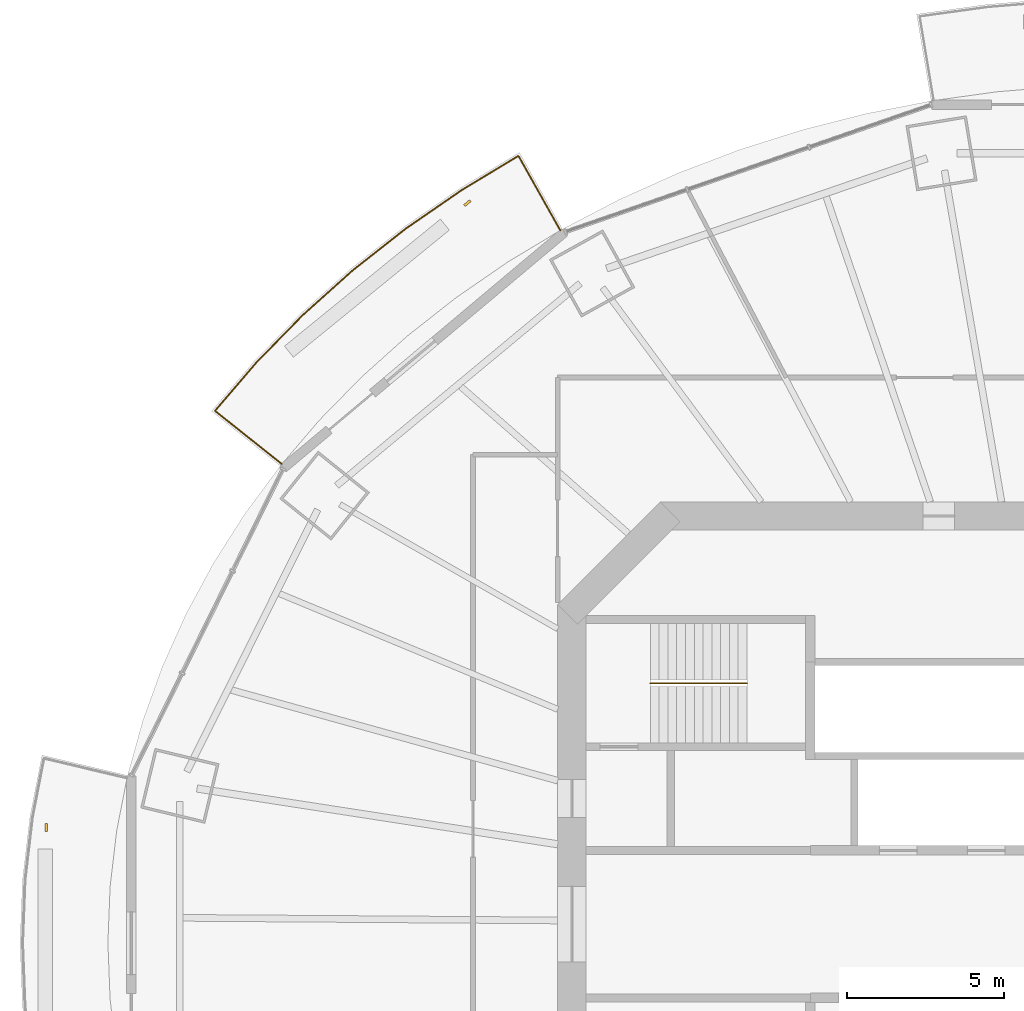
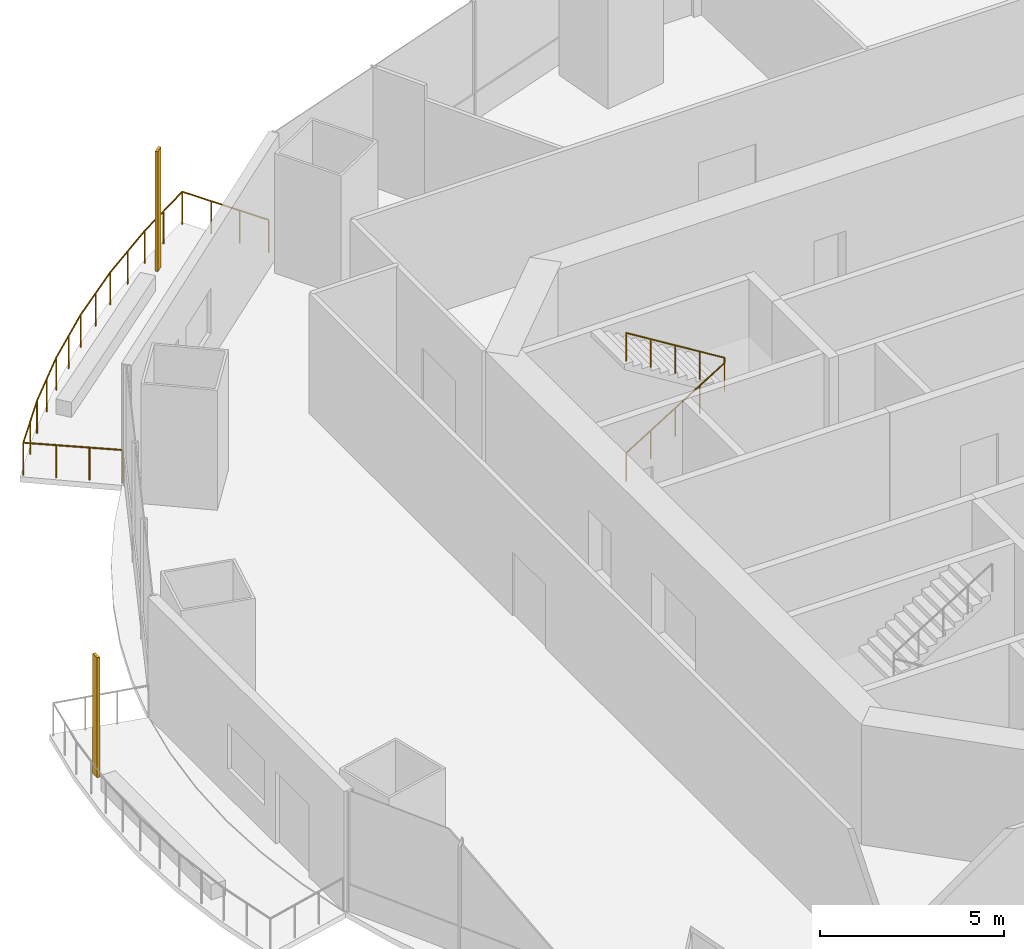
# One storey, part 17 of 20: 2 railings, 2 shading devices.
"""IFC4 building model written with IfcOpenShell, lengths in metres."""

from ifc_helpers import new_model, si_unit, direction, frame, origin, origin_2d, place, context, subcontext, project, spatial, rectangle, circle, extrude, material, material_profile, profile_set, type_object, element, save


model = new_model("IFC4")

# Units and contexts
model_context = context("Model", 3, precision=1e-05, world=origin(), true_north=direction((0.0, 1.0)))
body_context = subcontext(model_context, "Body", "Model", "MODEL_VIEW")
ifc_project = project(units=[si_unit("LENGTHUNIT", "METRE"), si_unit("AREAUNIT", "SQUARE_METRE"), si_unit("VOLUMEUNIT", "CUBIC_METRE"), si_unit("PLANEANGLEUNIT", "RADIAN"), si_unit("MASSUNIT", "GRAM", prefix="KILO")], contexts=[model_context])

# Site, building, storey
site_placement = place(None, origin())
site = spatial("IfcSite", under=ifc_project, at=site_placement, CompositionType="ELEMENT")
building_placement = place(site_placement, origin())
building = spatial("IfcBuilding", under=site, at=building_placement, Name="Marenthal Gate Tower", CompositionType="ELEMENT")
storey_placement = place(building_placement, frame((0.0, 0.0, 177.64990234375)))
storey = spatial("IfcBuildingStorey", under=building, at=storey_placement, Name="L38", CompositionType="ELEMENT", Elevation=177.64990234375)

# Railings
ifc_material_1 = material(Name="Stainless steel", Category="steel")
railing_type_1 = type_object("IfcRailingType", Name="Balcony guard 1100", PredefinedType="GUARDRAIL", material=ifc_material_1)
railing_1_placement = place(storey_placement, frame((-25.237060546875, 14.6552734375, 0.0)))
element("IfcRailing", 1, at=railing_1_placement, inside=storey, type_object=railing_type_1, Name="Balcony guard L38 bay 6", PredefinedType="GUARDRAIL", context=body_context, shape_type="SweptSolid", body=[
    extrude(circle(Radius=0.02392578125, at=origin_2d()), frame((0.0, 0.0, 1.076171875), z_axis=(-0.782620644896, 0.622327012811, -0.014629262055), x_axis=(-0.622393617256, -0.78270440474, 0.0)), (0.0, 0.0, 1.0), 2.72021484375),
    extrude(circle(Radius=0.02392578125, at=origin_2d()), frame((-2.12890625, 1.69287109375, 1.0361328125), z_axis=(0.650253316772, 0.75971746329, 0.0), x_axis=(-0.75971746329, 0.650253316772, 0.0)), (0.0, 0.0, 1.0), 2.0185546875),
    extrude(circle(Radius=0.02392578125, at=origin_2d()), frame((-0.81640625, 3.226318359375, 1.0361328125), z_axis=(0.699041593695, 0.715081009595, 0.0), x_axis=(-0.715081009595, 0.699041593695, 0.0)), (0.0, 0.0, 1.0), 2.11572265625),
    extrude(circle(Radius=0.02392578125, at=origin_2d()), frame((0.66259765625, 4.7392578125, 1.0361328125), z_axis=(0.744657655952, 0.667446608676, 0.0), x_axis=(-0.667446608676, 0.744657655952, 0.0)), (0.0, 0.0, 1.0), 2.13427734375),
    extrude(circle(Radius=0.02392578125, at=origin_2d()), frame((2.251953125, 6.163818359375, 1.0361328125), z_axis=(0.786086084663, 0.618117033821, 0.0), x_axis=(-0.618117033821, 0.786086084663, 0.0)), (0.0, 0.0, 1.0), 2.152587890625),
    extrude(circle(Radius=0.02392578125, at=origin_2d()), frame((3.944091796875, 7.494384765625, 1.0361328125), z_axis=(0.823509936294, 0.567301846308, 0.0), x_axis=(-0.567301846308, 0.823509936294, 0.0)), (0.0, 0.0, 1.0), 2.170654296875),
    extrude(circle(Radius=0.02392578125, at=origin_2d()), frame((5.731689453125, 8.725830078125, 1.0361328125), z_axis=(0.856264483042, 0.516537641494, 0.0), x_axis=(-0.516537641494, 0.856264483042, 0.0)), (0.0, 0.0, 1.0), 2.1083984375),
    extrude(circle(Radius=0.02392578125, at=origin_2d()), frame((7.537109375, 9.81494140625, 1.0361328125), z_axis=(0.489373433117, -0.871951636928, 0.014628254098), x_axis=(0.872044944545, 0.489425801009, 0.0)), (0.0, 0.0, 1.0), 2.720458984375),
    extrude(circle(Radius=0.02099609375, at=origin_2d()), origin(), (0.0, 0.0, 1.0), 1.052001953125),
    extrude(circle(Radius=0.02099609375, at=origin_2d()), frame((-0.709716796875, 0.564208984375, -0.01318359375)), (0.0, 0.0, 1.0), 1.052001953125),
    extrude(circle(Radius=0.02099609375, at=origin_2d()), frame((-1.419189453125, 1.128662109375, -0.026611328125)), (0.0, 0.0, 1.0), 1.052001953125),
    extrude(circle(Radius=0.02099609375, at=origin_2d()), frame((-2.12890625, 1.69287109375, -0.039794921875)), (0.0, 0.0, 1.0), 1.052001953125),
    extrude(circle(Radius=0.02099609375, at=origin_2d()), frame((-1.47265625, 2.45947265625, -0.039794921875)), (0.0, 0.0, 1.0), 1.052001953125),
    extrude(circle(Radius=0.02099609375, at=origin_2d()), frame((-0.81640625, 3.226318359375, -0.039794921875)), (0.0, 0.0, 1.0), 1.052001953125),
    extrude(circle(Radius=0.02099609375, at=origin_2d()), frame((-0.076904296875, 3.98291015625, -0.039794921875)), (0.0, 0.0, 1.0), 1.052001953125),
    extrude(circle(Radius=0.02099609375, at=origin_2d()), frame((0.66259765625, 4.7392578125, -0.039794921875)), (0.0, 0.0, 1.0), 1.052001953125),
    extrude(circle(Radius=0.02099609375, at=origin_2d()), frame((1.457275390625, 5.45166015625, -0.039794921875)), (0.0, 0.0, 1.0), 1.052001953125),
    extrude(circle(Radius=0.02099609375, at=origin_2d()), frame((2.251953125, 6.163818359375, -0.039794921875)), (0.0, 0.0, 1.0), 1.052001953125),
    extrude(circle(Radius=0.02099609375, at=origin_2d()), frame((3.09814453125, 6.8291015625, -0.039794921875)), (0.0, 0.0, 1.0), 1.052001953125),
    extrude(circle(Radius=0.02099609375, at=origin_2d()), frame((3.944091796875, 7.494384765625, -0.039794921875)), (0.0, 0.0, 1.0), 1.052001953125),
    extrude(circle(Radius=0.02099609375, at=origin_2d()), frame((4.837890625, 8.110107421875, -0.039794921875)), (0.0, 0.0, 1.0), 1.052001953125),
    extrude(circle(Radius=0.02099609375, at=origin_2d()), frame((5.731689453125, 8.725830078125, -0.039794921875)), (0.0, 0.0, 1.0), 1.052001953125),
    extrude(circle(Radius=0.02099609375, at=origin_2d()), frame((6.63427734375, 9.2705078125, -0.039794921875)), (0.0, 0.0, 1.0), 1.052001953125),
    extrude(circle(Radius=0.02099609375, at=origin_2d()), frame((7.537109375, 9.81494140625, -0.039794921875)), (0.0, 0.0, 1.0), 1.052001953125),
    extrude(circle(Radius=0.02099609375, at=origin_2d()), frame((7.98095703125, 9.024169921875, -0.026611328125)), (0.0, 0.0, 1.0), 1.052001953125),
    extrude(circle(Radius=0.02099609375, at=origin_2d()), frame((8.424560546875, 8.233642578125, -0.01318359375)), (0.0, 0.0, 1.0), 1.052001953125),
    extrude(circle(Radius=0.02099609375, at=origin_2d()), frame((8.868408203125, 7.44287109375, 0.0)), (0.0, 0.0, 1.0), 1.052001953125),
])
ifc_material_2 = material(Name="Stainless steel", Category="steel")
railing_type_2 = type_object("IfcRailingType", Name="Stair handrail", PredefinedType="HANDRAIL", material=ifc_material_2)
railing_2_placement = place(storey_placement, frame((-13.5, 7.675048828125, 0.173095703125)))
element("IfcRailing", 2, at=railing_2_placement, inside=storey, type_object=railing_type_2, Name="Handrail ST1", PredefinedType="HANDRAIL", context=body_context, shape_type="SweptSolid", body=[
    extrude(circle(Radius=0.0224609375, at=origin_2d()), frame((0.0, 0.0, 0.927490234375), z_axis=(0.850835241893, 0.0, 0.525432575268), x_axis=(0.0, 1.0, 0.0)), (0.0, 0.0, 1.0), 3.6201171875),
    extrude(circle(Radius=0.0224609375, at=origin_2d()), frame((3.080078125, 0.0, 2.82958984375), z_axis=(0.0, 0.0, 1.0), x_axis=(1.0, 0.0, 0.0)), (0.0, 0.0, 1.0), 0.1728515625),
    extrude(circle(Radius=0.0224609375, at=origin_2d()), frame((3.080078125, 0.0, 3.00244140625), z_axis=(-0.850835241893, 0.0, 0.525432575268), x_axis=(0.0, -1.0, 0.0)), (0.0, 0.0, 1.0), 3.6201171875),
    extrude(circle(Radius=0.02001953125, at=origin_2d()), origin(), (0.0, 0.0, 1.0), 0.905029296875),
    extrude(circle(Radius=0.02001953125, at=origin_2d()), frame((0.77001953125, 0.0, 0.4755859375)), (0.0, 0.0, 1.0), 0.905029296875),
    extrude(circle(Radius=0.02001953125, at=origin_2d()), frame((1.5400390625, 0.0, 0.951171875)), (0.0, 0.0, 1.0), 0.905029296875),
    extrude(circle(Radius=0.02001953125, at=origin_2d()), frame((2.31005859375, 0.0, 1.426513671875)), (0.0, 0.0, 1.0), 0.905029296875),
    extrude(circle(Radius=0.02001953125, at=origin_2d()), frame((3.080078125, 0.0, 1.902099609375)), (0.0, 0.0, 1.0), 0.905029296875),
    extrude(circle(Radius=0.02001953125, at=origin_2d()), frame((3.080078125, 0.0, 2.074951171875)), (0.0, 0.0, 1.0), 0.905029296875),
    extrude(circle(Radius=0.02001953125, at=origin_2d()), frame((2.31005859375, 0.0, 2.550537109375)), (0.0, 0.0, 1.0), 0.905029296875),
    extrude(circle(Radius=0.02001953125, at=origin_2d()), frame((1.5400390625, 0.0, 3.02587890625)), (0.0, 0.0, 1.0), 0.905029296875),
    extrude(circle(Radius=0.02001953125, at=origin_2d()), frame((0.77001953125, 0.0, 3.50146484375)), (0.0, 0.0, 1.0), 0.905029296875),
    extrude(circle(Radius=0.02001953125, at=origin_2d()), frame((0.0, 0.0, 3.97705078125)), (0.0, 0.0, 1.0), 0.905029296875),
])

# Shading devices
ifc_material_3 = material(Name="Terracotta", Category="masonry")
ifc_material_profile = material_profile(ifc_material_3, rectangle(XDim=0.25, YDim=0.080078125, at=origin_2d()), Name="Terracotta baguette 250x80")
ifc_profile_set = profile_set([ifc_material_profile], Name="Terracotta")
shading_device_type = type_object("IfcShadingDeviceType", Name="Terracotta BAGUETTE SCREEN 250x80", PredefinedType="USERDEFINED", material=ifc_profile_set)
for number, where, z_axis, x_axis, name in (
    (3, (-19.32763671875, 22.964599609375, -0.039794921875), (0.0, 0.0, 1.0), (-0.765850387542, -0.643018805247, 0.0), "Terracotta BAGUETTE L38 bay 6L"),
    (4, (-32.7451171875, 3.08056640625, -0.039794921875), (0.0, 0.0, 1.0), (0.0, -1.0, 0.0), "Terracotta BAGUETTE L38 bay 8L"),
):
    element("IfcShadingDevice", number, at=place(storey_placement, frame(where, z_axis=z_axis, x_axis=x_axis)), inside=storey, type_object=shading_device_type, Name=name, ObjectType="BAGUETTE SCREEN", PredefinedType="USERDEFINED", context=body_context, shape_type="SweptSolid", body=[
        extrude(rectangle(XDim=0.25, YDim=0.080078125, at=origin_2d()), origin(), (0.0, 0.0, 1.0), 3.969970703125),
    ])

save(model, "model.ifc")
